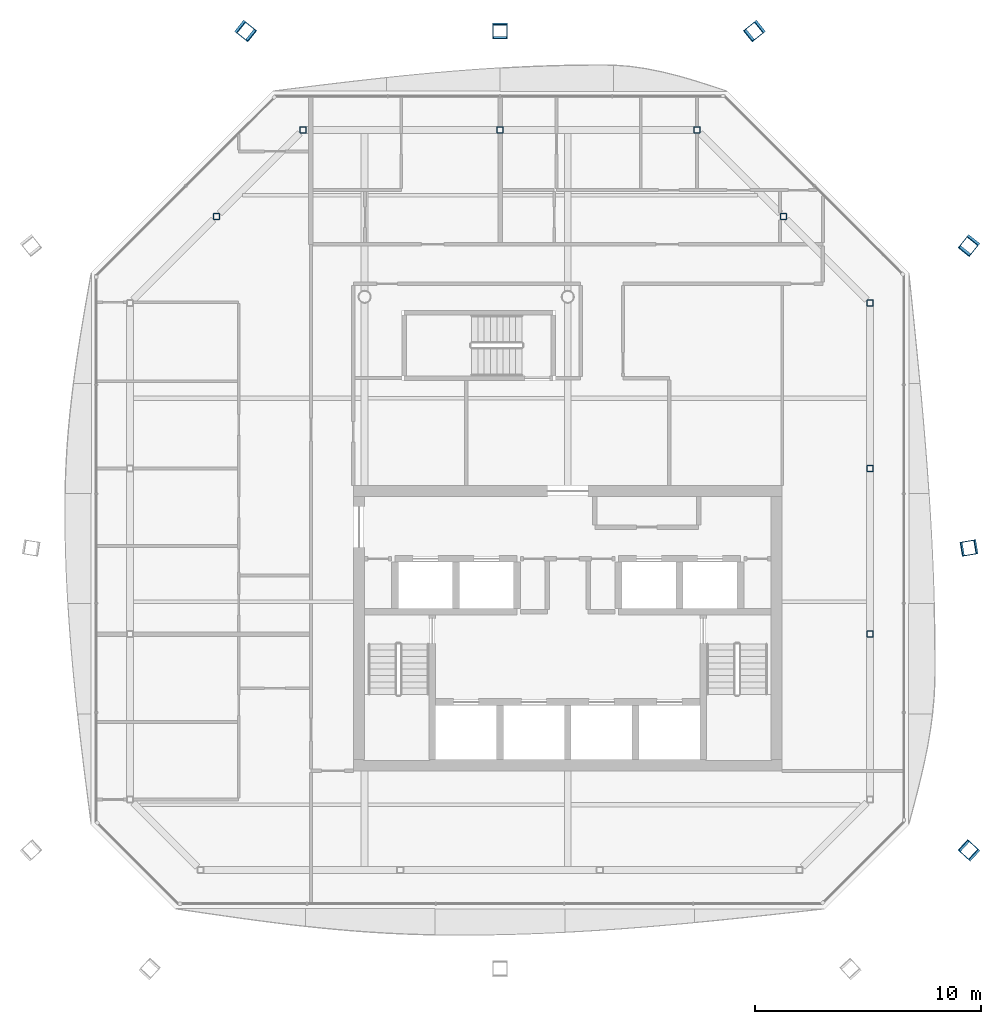
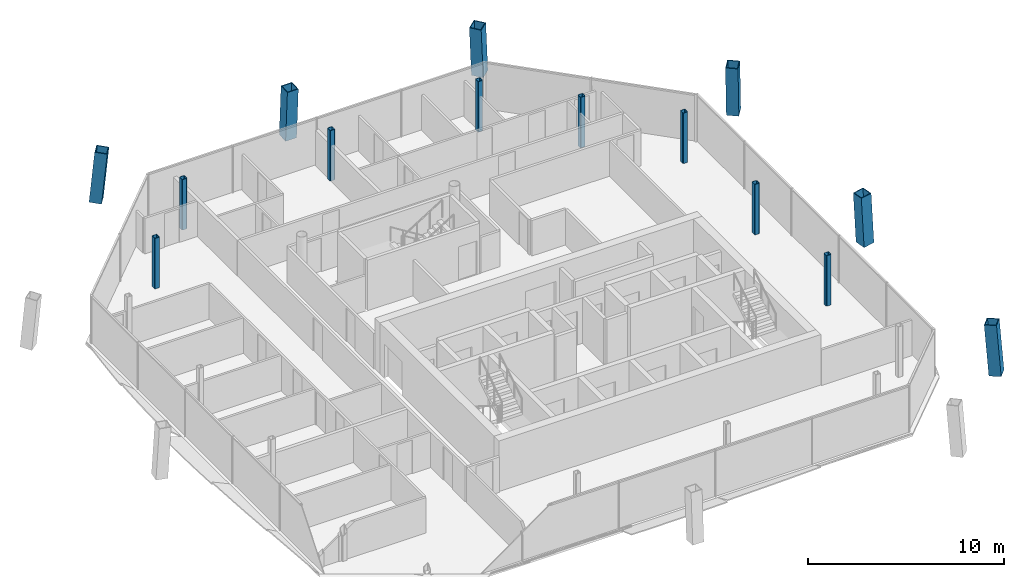
# One storey, part 2 of 15: 14 columns.
"""IFC4 building model written with IfcOpenShell, lengths in metres."""

from ifc_helpers import new_model, si_unit, direction, frame, origin, origin_2d, place, context, subcontext, project, spatial, hollow_rectangle, extrude, material, material_profile, profile_set, type_object, element, save


model = new_model("IFC4")

# Units and contexts
model_context = context("Model", 3, precision=1e-05, world=origin(), true_north=direction((0.0, 1.0)))
body_context = subcontext(model_context, "Body", "Model", "MODEL_VIEW")
ifc_project = project(units=[si_unit("LENGTHUNIT", "METRE"), si_unit("AREAUNIT", "SQUARE_METRE"), si_unit("VOLUMEUNIT", "CUBIC_METRE"), si_unit("PLANEANGLEUNIT", "RADIAN"), si_unit("MASSUNIT", "GRAM", prefix="KILO")], contexts=[model_context])

# Site, building, storey
site_placement = place(None, origin())
site = spatial("IfcSite", under=ifc_project, at=site_placement, CompositionType="ELEMENT")
building_placement = place(site_placement, origin())
building = spatial("IfcBuilding", under=site, at=building_placement, Name="Tskaro Facet Tower", CompositionType="ELEMENT")
storey_placement = place(building_placement, frame((0.0, 0.0, 239.25)))
storey = spatial("IfcBuildingStorey", under=building, at=storey_placement, Name="L62", CompositionType="ELEMENT", Elevation=239.25)

# Columns
ifc_material_1 = material(Name="Steel S355J2", Category="steel")
ifc_material_profile_1 = material_profile(ifc_material_1, hollow_rectangle(XDim=0.64990234375, YDim=0.64990234375, WallThickness=0.0400390625, at=origin_2d()), Name="BOX 650x650x40")
ifc_profile_set_1 = profile_set([ifc_material_profile_1], Name="Steel S355J2")
column_type_1 = type_object("IfcColumnType", Name="BOX 650x650x40 mega column", PredefinedType="COLUMN", material=ifc_profile_set_1)
column_1_placement = place(storey_placement, frame((17.805908203125, -15.552978515625, 0.0), z_axis=(-0.057566388151, 0.052852898651, 0.996941664321), x_axis=(-0.676306475744, -0.736620357353, 0.0)))
element("IfcColumn", 1, at=column_1_placement, inside=storey, type_object=column_type_1, Name="BOX 650x650x40 MC04/5", PredefinedType="COLUMN", context=body_context, shape_type="SweptSolid", body=[
    extrude(hollow_rectangle(XDim=0.64990234375, YDim=0.64990234375, WallThickness=0.0400390625, at=origin_2d()), origin(), (0.0, 0.0, 1.0), 3.15966796875),
])
column_2_placement = place(storey_placement, frame((17.805908203125, -2.1220703125, 0.0), z_axis=(-0.057644350039, -0.009517120879, 0.998291817716), x_axis=(0.162895476227, -0.986643331617, 0.0)))
element("IfcColumn", 2, at=column_2_placement, inside=storey, type_object=column_type_1, Name="BOX 650x650x40 MC05/5", PredefinedType="COLUMN", context=body_context, shape_type="SweptSolid", body=[
    extrude(hollow_rectangle(XDim=0.64990234375, YDim=0.64990234375, WallThickness=0.0400390625, at=origin_2d()), origin(), (0.0, 0.0, 1.0), 3.1552734375),
])
for number, where, z_axis, x_axis, name in (
    (3, (17.805908203125, 11.30908203125, 0.0), (-0.057498274883, -0.071776369988, 0.995762070525), (0.780459274208, -0.625206622887, 0.0), "BOX 650x650x40 MC06/5"),
    (4, (8.30908203125, 20.805908203125, 0.0), (-0.071776369988, -0.057498274883, 0.995762070525), (0.625206622887, -0.780459274208, 0.0), "BOX 650x650x40 MC07/5"),
):
    element("IfcColumn", number, at=place(storey_placement, frame(where, z_axis=z_axis, x_axis=x_axis)), inside=storey, type_object=column_type_1, Name=name, PredefinedType="COLUMN", context=body_context, shape_type="SweptSolid", body=[
        extrude(hollow_rectangle(XDim=0.64990234375, YDim=0.64990234375, WallThickness=0.0400390625, at=origin_2d()), origin(), (0.0, 0.0, 1.0), 3.163330078125),
    ])
column_3_placement = place(storey_placement, frame((-3.0, 20.805908203125, 0.0), z_axis=(0.0, -0.057646960801, 0.998337031223), x_axis=(1.0, 0.0, 0.0)))
element("IfcColumn", 5, at=column_3_placement, inside=storey, type_object=column_type_1, Name="BOX 650x650x40 MC08/5", PredefinedType="COLUMN", context=body_context, shape_type="SweptSolid", body=[
    extrude(hollow_rectangle(XDim=0.64990234375, YDim=0.64990234375, WallThickness=0.0400390625, at=origin_2d()), origin(), (0.0, 0.0, 1.0), 3.155029296875),
])
column_4_placement = place(storey_placement, frame((-14.30908203125, 20.805908203125, 0.0), z_axis=(0.071776369988, -0.057498274883, 0.995762070525), x_axis=(0.625206622887, 0.780459274208, 0.0)))
element("IfcColumn", 6, at=column_4_placement, inside=storey, type_object=column_type_1, Name="BOX 650x650x40 MC09/5", PredefinedType="COLUMN", context=body_context, shape_type="SweptSolid", body=[
    extrude(hollow_rectangle(XDim=0.64990234375, YDim=0.64990234375, WallThickness=0.0400390625, at=origin_2d()), origin(), (0.0, 0.0, 1.0), 3.163330078125),
])
ifc_material_2 = material(Name="Steel S355J2H", Category="steel")
ifc_material_profile_2 = material_profile(ifc_material_2, hollow_rectangle(XDim=0.300048828125, YDim=0.300048828125, WallThickness=0.02001953125, InnerFilletRadius=0.030029296875, OuterFilletRadius=0.050048828125, at=origin_2d()), Name="SHS 300x300x20")
ifc_profile_set_2 = profile_set([ifc_material_profile_2], Name="Steel S355J2H")
column_type_2 = type_object("IfcColumnType", Name="SHS 300x300x20 ring column", PredefinedType="COLUMN", material=ifc_profile_set_2)
for number, where, z_axis, x_axis, name in (
    (7, (13.39111328125, -5.93701171875, 0.0), (0.0, 0.0, 1.0), (1.0, 0.0, 0.0), "SHS 300x300x20 RE-2/5"),
    (8, (13.39111328125, 1.39404296875, 0.0), (0.0, 0.0, 1.0), (1.0, 0.0, 0.0), "SHS 300x300x20 RE-3/5"),
    (9, (13.39111328125, 8.72509765625, 0.0), (0.0, 0.0, 1.0), (1.0, 0.0, 0.0), "SHS 300x300x20 RNE-1/5"),
    (10, (9.55810546875, 12.55810546875, 0.0), (0.0, 0.0, 1.0), (1.0, 0.0, 0.0), "SHS 300x300x20 RNE-2/5"),
    (11, (5.72509765625, 16.39111328125, 0.0), (0.0, 0.0, 1.0), (1.0, 0.0, 0.0), "SHS 300x300x20 RN-1/5"),
    (12, (-3.0, 16.39111328125, 0.0), (0.0, 0.0, 1.0), (1.0, 0.0, 0.0), "SHS 300x300x20 RN-2/5"),
    (13, (-11.72509765625, 16.39111328125, 0.0), (0.0, 0.0, 1.0), (1.0, 0.0, 0.0), "SHS 300x300x20 RNW-1/5"),
    (14, (-15.55810546875, 12.55810546875, 0.0), (0.0, 0.0, 1.0), (1.0, 0.0, 0.0), "SHS 300x300x20 RNW-2/5"),
):
    element("IfcColumn", number, at=place(storey_placement, frame(where, z_axis=z_axis, x_axis=x_axis)), inside=storey, type_object=column_type_2, Name=name, PredefinedType="COLUMN", context=body_context, shape_type="SweptSolid", body=[
        extrude(hollow_rectangle(XDim=0.300048828125, YDim=0.300048828125, WallThickness=0.02001953125, InnerFilletRadius=0.030029296875, OuterFilletRadius=0.050048828125, at=origin_2d()), origin(), (0.0, 0.0, 1.0), 3.14990234375),
    ])

save(model, "model.ifc")
